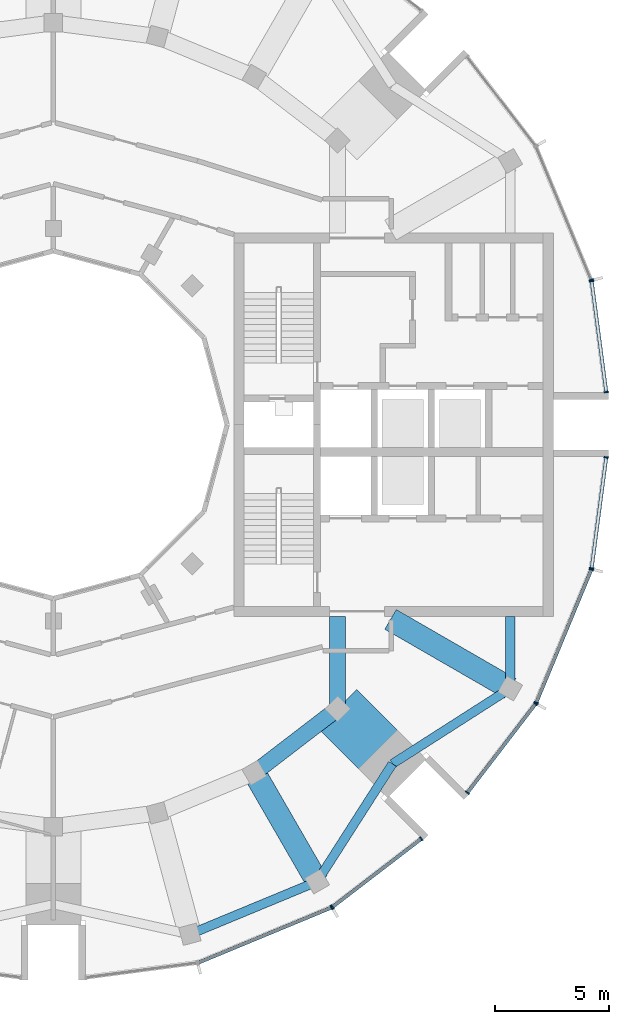
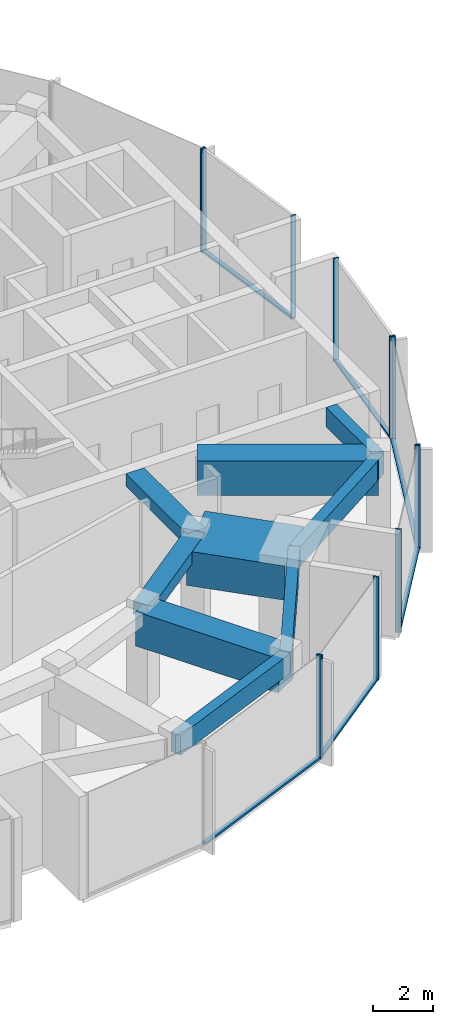
# One storey, part 4 of 14: 18 members, 9 beams, 7 elements without a shape of their own.
"""IFC4 building model written with IfcOpenShell, lengths in metres."""

from ifc_helpers import new_model, si_unit, direction, frame, origin, origin_2d, place, context, subcontext, project, spatial, rectangle, extrude, material, layer, layer_set, material_profile, profile_set, type_object, element, aggregate, save


model = new_model("IFC4")

# Units and contexts
model_context = context("Model", 3, precision=1e-05, world=origin(), true_north=direction((0.0, 1.0)))
body_context = subcontext(model_context, "Body", "Model", "MODEL_VIEW")
ifc_project = project(units=[si_unit("LENGTHUNIT", "METRE"), si_unit("AREAUNIT", "SQUARE_METRE"), si_unit("VOLUMEUNIT", "CUBIC_METRE"), si_unit("PLANEANGLEUNIT", "RADIAN"), si_unit("MASSUNIT", "GRAM", prefix="KILO")], contexts=[model_context])

# Site, building, storey
site_placement = place(None, origin())
site = spatial("IfcSite", under=ifc_project, at=site_placement, CompositionType="ELEMENT")
building_placement = place(site_placement, origin())
building = spatial("IfcBuilding", under=site, at=building_placement, Name="Torre Brocal", CompositionType="ELEMENT")
storey_placement = place(building_placement, frame((0.0, 0.0, 288.300048828125)))
storey = spatial("IfcBuildingStorey", under=building, at=storey_placement, Name="L66", CompositionType="ELEMENT", Elevation=288.300048828125)

# Curtain wall, member
ifc_material_1 = material(Name="Aluminium and glass", Category="aluminium")
ifc_layer_1 = layer(ifc_material_1, 0.199951171875)
ifc_layer_set_1 = layer_set([ifc_layer_1], Name="Aluminium and glass")
curtain_wall_type_1 = type_object("IfcCurtainWallType", Name="CW-1 CURTAIN WALL 4200 HIGH", PredefinedType="NOTDEFINED", material=ifc_layer_set_1)
curtain_wall_1_placement = place(storey_placement, origin())
curtain_wall_1 = element("IfcCurtainWall", 1, at=curtain_wall_1_placement, inside=storey, type_object=curtain_wall_type_1, Name="CW-1 RUN 2", PredefinedType="NOTDEFINED")
ifc_material_2 = material(Name="Aluminium, dark anodised", Category="aluminium")
ifc_material_profile_1 = material_profile(ifc_material_2, rectangle(XDim=0.199951171875, YDim=0.06005859375, at=origin_2d()), Name="CW-1 MULLION 60X200")
ifc_profile_set_1 = profile_set([ifc_material_profile_1], Name="Aluminium, dark anodised")
member_type_1 = type_object("IfcMemberType", Name="CW-1 MULLION 60X200", PredefinedType="MULLION", material=ifc_profile_set_1)
member_1_placement = place(storey_placement, frame((103.556396484375, 81.3427734375, 0.0), z_axis=(0.0, 0.0, 1.0), x_axis=(-0.923879532471, -0.382683432462, 0.0)))
member_1 = element("IfcMember", 2, at=member_1_placement, type_object=member_type_1, Name="CW1-5 mullion 1", PredefinedType="MULLION", context=body_context, shape_type="SweptSolid", body=[
    extrude(rectangle(XDim=0.199951171875, YDim=0.06005859375, at=origin_2d()), origin(), (0.0, 0.0, 1.0), 4.199951171875),
])
aggregate(curtain_wall_1, [member_1])

curtain_wall_2_placement = place(storey_placement, origin())
curtain_wall_2 = element("IfcCurtainWall", 3, at=curtain_wall_2_placement, inside=storey, type_object=curtain_wall_type_1, Name="CW-1 RUN 20", PredefinedType="NOTDEFINED")
member_2_placement = place(storey_placement, frame((92.171875, 53.858154296875, 0.0), z_axis=(0.0, 0.0, 1.0), x_axis=(-0.382683432462, 0.923879532471, 0.0)))
member_2 = element("IfcMember", 4, at=member_2_placement, type_object=member_type_1, Name="CW1-5 mullion 2", PredefinedType="MULLION", context=body_context, shape_type="SweptSolid", body=[
    extrude(rectangle(XDim=0.199951171875, YDim=0.06005859375, at=origin_2d()), origin(), (0.0, 0.0, 1.0), 4.199951171875),
])

# Curtain wall, members
curtain_wall_3_placement = place(storey_placement, origin())
curtain_wall_3 = element("IfcCurtainWall", 5, at=curtain_wall_3_placement, inside=storey, type_object=curtain_wall_type_1, Name="CW-1 RUN 21", PredefinedType="NOTDEFINED")
member_3_placement = place(storey_placement, frame((92.223388671875, 53.887939453125, 0.0), z_axis=(0.0, 0.0, 1.0), x_axis=(-0.608761428939, 0.793353340344, 0.0)))
member_3 = element("IfcMember", 6, at=member_3_placement, type_object=member_type_1, Name="CW1-5 mullion 1", PredefinedType="MULLION", context=body_context, shape_type="SweptSolid", body=[
    extrude(rectangle(XDim=0.199951171875, YDim=0.06005859375, at=origin_2d()), origin(), (0.0, 0.0, 1.0), 4.199951171875),
])
member_4_placement = place(storey_placement, frame((96.108642578125, 56.869384765625, 0.0), z_axis=(0.0, 0.0, 1.0), x_axis=(-0.608761428939, 0.793353340344, 0.0)))
member_4 = element("IfcMember", 7, at=member_4_placement, type_object=member_type_1, Name="CW1-5 mullion 2", PredefinedType="MULLION", context=body_context, shape_type="SweptSolid", body=[
    extrude(rectangle(XDim=0.199951171875, YDim=0.06005859375, at=origin_2d()), origin(), (0.0, 0.0, 1.0), 4.199951171875),
])

curtain_wall_4_placement = place(storey_placement, origin())
curtain_wall_4 = element("IfcCurtainWall", 8, at=curtain_wall_4_placement, inside=storey, type_object=curtain_wall_type_1, Name="CW-1 RUN 22", PredefinedType="NOTDEFINED")
member_5_placement = place(storey_placement, frame((98.130615234375, 58.891357421875, 0.0), z_axis=(0.0, 0.0, 1.0), x_axis=(-0.793353340344, 0.608761428939, 0.0)))
member_5 = element("IfcMember", 9, at=member_5_placement, type_object=member_type_1, Name="CW1-5 mullion 1", PredefinedType="MULLION", context=body_context, shape_type="SweptSolid", body=[
    extrude(rectangle(XDim=0.199951171875, YDim=0.06005859375, at=origin_2d()), origin(), (0.0, 0.0, 1.0), 4.199951171875),
])
member_6_placement = place(storey_placement, frame((101.112060546875, 62.776611328125, 0.0), z_axis=(0.0, 0.0, 1.0), x_axis=(-0.793353340344, 0.608761428939, 0.0)))
member_6 = element("IfcMember", 10, at=member_6_placement, type_object=member_type_1, Name="CW1-5 mullion 2", PredefinedType="MULLION", context=body_context, shape_type="SweptSolid", body=[
    extrude(rectangle(XDim=0.199951171875, YDim=0.06005859375, at=origin_2d()), origin(), (0.0, 0.0, 1.0), 4.199951171875),
])

curtain_wall_5_placement = place(storey_placement, origin())
curtain_wall_5 = element("IfcCurtainWall", 11, at=curtain_wall_5_placement, inside=storey, type_object=curtain_wall_type_1, Name="CW-1 RUN 23", PredefinedType="NOTDEFINED")
member_7_placement = place(storey_placement, frame((101.141845703125, 62.828125, 0.0), z_axis=(0.0, 0.0, 1.0), x_axis=(-0.923879532471, 0.382683432462, 0.0)))
member_7 = element("IfcMember", 12, at=member_7_placement, type_object=member_type_1, Name="CW1-5 mullion 1", PredefinedType="MULLION", context=body_context, shape_type="SweptSolid", body=[
    extrude(rectangle(XDim=0.199951171875, YDim=0.06005859375, at=origin_2d()), origin(), (0.0, 0.0, 1.0), 4.199951171875),
])
member_8_placement = place(storey_placement, frame((103.556396484375, 68.6572265625, 0.0), z_axis=(0.0, 0.0, 1.0), x_axis=(-0.923879532471, 0.382683432462, 0.0)))
member_8 = element("IfcMember", 13, at=member_8_placement, type_object=member_type_1, Name="CW1-5 mullion 2", PredefinedType="MULLION", context=body_context, shape_type="SweptSolid", body=[
    extrude(rectangle(XDim=0.199951171875, YDim=0.06005859375, at=origin_2d()), origin(), (0.0, 0.0, 1.0), 4.199951171875),
])

# Member
ifc_material_3 = material(Name="Aluminium, dark anodised", Category="aluminium")
ifc_material_profile_2 = material_profile(ifc_material_3, rectangle(XDim=0.159912109375, YDim=0.080078125, at=origin_2d()), Name="CW-1 TRANSOM 160X80")
ifc_profile_set_2 = profile_set([ifc_material_profile_2], Name="Aluminium, dark anodised")
member_type_2 = type_object("IfcMemberType", Name="CW-1 TRANSOM 160X80", PredefinedType="USERDEFINED", material=ifc_profile_set_2)
member_9_placement = place(storey_placement, frame((86.370361328125, 51.455322265625, 0.0400390625), z_axis=(0.923889705363, 0.382658872004, 0.0), x_axis=(-0.382658872004, 0.923889705363, 0.0)))
member_9 = element("IfcMember", 14, at=member_9_placement, type_object=member_type_2, Name="CW1-5 transom 1.1", ObjectType="TRANSOM", PredefinedType="USERDEFINED", context=body_context, shape_type="SweptSolid", body=[
    extrude(rectangle(XDim=0.159912109375, YDim=0.080078125, at=origin_2d()), origin(), (0.0, 0.0, 1.0), 6.249267578125),
])

aggregate(curtain_wall_2, [member_2, member_9])

member_10_placement = place(storey_placement, frame((92.2470703125, 53.90625, 0.0400390625), z_axis=(0.793362608569, 0.608749350163, 0.0), x_axis=(-0.608749350163, 0.793362608569, 0.0)))
member_10 = element("IfcMember", 15, at=member_10_placement, type_object=member_type_2, Name="CW1-5 transom 1.1", ObjectType="TRANSOM", PredefinedType="USERDEFINED", context=body_context, shape_type="SweptSolid", body=[
    extrude(rectangle(XDim=0.159912109375, YDim=0.080078125, at=origin_2d()), origin(), (0.0, 0.0, 1.0), 4.83740234375),
])

aggregate(curtain_wall_3, [member_3, member_4, member_10])

member_11_placement = place(storey_placement, frame((98.14892578125, 58.9150390625, 0.0400390625), z_axis=(0.608749350163, 0.793362608569, 0.0), x_axis=(-0.793362608569, 0.608749350163, 0.0)))
member_11 = element("IfcMember", 16, at=member_11_placement, type_object=member_type_2, Name="CW1-5 transom 1.1", ObjectType="TRANSOM", PredefinedType="USERDEFINED", context=body_context, shape_type="SweptSolid", body=[
    extrude(rectangle(XDim=0.159912109375, YDim=0.080078125, at=origin_2d()), origin(), (0.0, 0.0, 1.0), 4.83740234375),
])

aggregate(curtain_wall_4, [member_5, member_6, member_11])

member_12_placement = place(storey_placement, frame((101.1533203125, 62.85595703125, 0.0400390625), z_axis=(0.382658872004, 0.923889705363, 0.0), x_axis=(-0.923889705363, 0.382658872004, 0.0)))
member_12 = element("IfcMember", 17, at=member_12_placement, type_object=member_type_2, Name="CW1-5 transom 1.1", ObjectType="TRANSOM", PredefinedType="USERDEFINED", context=body_context, shape_type="SweptSolid", body=[
    extrude(rectangle(XDim=0.159912109375, YDim=0.080078125, at=origin_2d()), origin(), (0.0, 0.0, 1.0), 6.249267578125),
])

aggregate(curtain_wall_5, [member_7, member_8, member_12])

# Curtain wall, members
ifc_material_4 = material(Name="Aluminium and glass", Category="aluminium")
ifc_layer_2 = layer(ifc_material_4, 0.199951171875)
ifc_layer_set_2 = layer_set([ifc_layer_2], Name="Aluminium and glass")
curtain_wall_type_2 = type_object("IfcCurtainWallType", Name="CW-1B CURTAIN WALL 4200 HIGH", PredefinedType="NOTDEFINED", material=ifc_layer_set_2)
curtain_wall_6_placement = place(storey_placement, origin())
curtain_wall_6 = element("IfcCurtainWall", 18, at=curtain_wall_6_placement, inside=storey, type_object=curtain_wall_type_2, Name="CW-1B RUN 1", PredefinedType="NOTDEFINED")
ifc_material_5 = material(Name="Aluminium, dark anodised", Category="aluminium")
ifc_material_profile_3 = material_profile(ifc_material_5, rectangle(XDim=0.199951171875, YDim=0.06005859375, at=origin_2d()), Name="CW-1B MULLION 60X200")
ifc_profile_set_3 = profile_set([ifc_material_profile_3], Name="Aluminium, dark anodised")
member_type_3 = type_object("IfcMemberType", Name="CW-1B MULLION 60X200", PredefinedType="MULLION", material=ifc_profile_set_3)
member_13_placement = place(storey_placement, frame((104.2109375, 76.4296875, 0.0), z_axis=(0.0, 0.0, 1.0), x_axis=(-0.991444861387, -0.130526192116, 0.0)))
member_13 = element("IfcMember", 19, at=member_13_placement, type_object=member_type_3, Name="CW1B-5 mullion 1", PredefinedType="MULLION", context=body_context, shape_type="SweptSolid", body=[
    extrude(rectangle(XDim=0.199951171875, YDim=0.06005859375, at=origin_2d()), origin(), (0.0, 0.0, 1.0), 4.199951171875),
])
member_14_placement = place(storey_placement, frame((103.57177734375, 81.28515625, 0.0), z_axis=(0.0, 0.0, 1.0), x_axis=(-0.991444861387, -0.130526192116, 0.0)))
member_14 = element("IfcMember", 20, at=member_14_placement, type_object=member_type_3, Name="CW1B-5 mullion 2", PredefinedType="MULLION", context=body_context, shape_type="SweptSolid", body=[
    extrude(rectangle(XDim=0.199951171875, YDim=0.06005859375, at=origin_2d()), origin(), (0.0, 0.0, 1.0), 4.199951171875),
])

curtain_wall_7_placement = place(storey_placement, origin())
curtain_wall_7 = element("IfcCurtainWall", 21, at=curtain_wall_7_placement, inside=storey, type_object=curtain_wall_type_2, Name="CW-1B RUN 24", PredefinedType="NOTDEFINED")
member_15_placement = place(storey_placement, frame((103.57177734375, 68.71484375, 0.0), z_axis=(0.0, 0.0, 1.0), x_axis=(-0.991444861387, 0.130526192116, 0.0)))
member_15 = element("IfcMember", 22, at=member_15_placement, type_object=member_type_3, Name="CW1B-5 mullion 1", PredefinedType="MULLION", context=body_context, shape_type="SweptSolid", body=[
    extrude(rectangle(XDim=0.199951171875, YDim=0.06005859375, at=origin_2d()), origin(), (0.0, 0.0, 1.0), 4.199951171875),
])
member_16_placement = place(storey_placement, frame((104.2109375, 73.5703125, 0.0), z_axis=(0.0, 0.0, 1.0), x_axis=(-0.991444861387, 0.130526192116, 0.0)))
member_16 = element("IfcMember", 23, at=member_16_placement, type_object=member_type_3, Name="CW1B-5 mullion 2", PredefinedType="MULLION", context=body_context, shape_type="SweptSolid", body=[
    extrude(rectangle(XDim=0.199951171875, YDim=0.06005859375, at=origin_2d()), origin(), (0.0, 0.0, 1.0), 4.199951171875),
])

# Member
ifc_material_6 = material(Name="Aluminium, dark anodised", Category="aluminium")
ifc_material_profile_4 = material_profile(ifc_material_6, rectangle(XDim=0.159912109375, YDim=0.080078125, at=origin_2d()), Name="CW-1B TRANSOM 160X80")
ifc_profile_set_4 = profile_set([ifc_material_profile_4], Name="Aluminium, dark anodised")
member_type_4 = type_object("IfcMemberType", Name="CW-1B TRANSOM 160X80", PredefinedType="USERDEFINED", material=ifc_profile_set_4)
member_17_placement = place(storey_placement, frame((104.20703125, 76.45947265625, 0.0400390625), z_axis=(-0.130517179786, 0.991446047842, 0.0), x_axis=(-0.991446047842, -0.130517179786, 0.0)))
member_17 = element("IfcMember", 24, at=member_17_placement, type_object=member_type_4, Name="CW1B-5 transom 1.1", ObjectType="TRANSOM", PredefinedType="USERDEFINED", context=body_context, shape_type="SweptSolid", body=[
    extrude(rectangle(XDim=0.159912109375, YDim=0.080078125, at=origin_2d()), origin(), (0.0, 0.0, 1.0), 4.837158203125),
])

aggregate(curtain_wall_6, [member_13, member_14, member_17])

member_18_placement = place(storey_placement, frame((103.57568359375, 68.74462890625, 0.0400390625), z_axis=(0.130517179786, 0.991446047842, 0.0), x_axis=(-0.991446047842, 0.130517179786, 0.0)))
member_18 = element("IfcMember", 25, at=member_18_placement, type_object=member_type_4, Name="CW1B-5 transom 1.1", ObjectType="TRANSOM", PredefinedType="USERDEFINED", context=body_context, shape_type="SweptSolid", body=[
    extrude(rectangle(XDim=0.159912109375, YDim=0.080078125, at=origin_2d()), origin(), (0.0, 0.0, 1.0), 4.837158203125),
])

aggregate(curtain_wall_7, [member_15, member_16, member_18])

# Beams
ifc_material_7 = material(Name="Concrete C50", Category="concrete")
ifc_material_profile_5 = material_profile(ifc_material_7, rectangle(XDim=0.699951171875, YDim=0.5, at=origin_2d()), Name="RC 700X500")
ifc_profile_set_5 = profile_set([ifc_material_profile_5], Name="Concrete C50")
beam_type_1 = type_object("IfcBeamType", Name="RC BEAM 700X500 C50 TOP 3880", PredefinedType="BEAM", material=ifc_profile_set_5)
beam_1_placement = place(storey_placement, frame((88.800048828125, 59.758056640625, 3.6298828125), z_axis=(0.793358265959, 0.6087550097, 0.0), x_axis=(-0.6087550097, 0.793358265959, 0.0)))
element("IfcBeam", 26, at=beam_1_placement, inside=storey, type_object=beam_type_1, Name="Beam BT-37", PredefinedType="BEAM", context=body_context, shape_type="SweptSolid", body=[
    extrude(rectangle(XDim=0.699951171875, YDim=0.5, at=origin_2d()), origin(), (0.0, 0.0, 1.0), 4.594482421875),
])
beam_2_placement = place(storey_placement, frame((92.445068359375, 62.554931640625, 3.6298828125), z_axis=(0.0, 1.0, 0.0), x_axis=(-1.0, 0.0, 0.0)))
element("IfcBeam", 27, at=beam_2_placement, inside=storey, type_object=beam_type_1, Name="Beam BT-37", PredefinedType="BEAM", context=body_context, shape_type="SweptSolid", body=[
    extrude(rectangle(XDim=0.699951171875, YDim=0.5, at=origin_2d()), origin(), (0.0, 0.0, 1.0), 4.045166015625),
])
ifc_material_8 = material(Name="Concrete C50", Category="concrete")
ifc_material_profile_6 = material_profile(ifc_material_8, rectangle(XDim=0.39990234375, YDim=0.800048828125, at=origin_2d()), Name="RC 400X800")
ifc_profile_set_6 = profile_set([ifc_material_profile_6], Name="Concrete C50")
beam_type_2 = type_object("IfcBeamType", Name="RC SPANDREL BEAM 400X800 C50 TOP 3880", PredefinedType="SPANDREL", material=ifc_profile_set_6)
beam_3_placement = place(storey_placement, frame((85.978759765625, 52.68701171875, 3.47998046875), z_axis=(0.923870278372, 0.38270577307, 0.0), x_axis=(-0.38270577307, 0.923870278372, 0.0)))
element("IfcBeam", 28, at=beam_3_placement, inside=storey, type_object=beam_type_2, Name="Beam BT-47", PredefinedType="SPANDREL", context=body_context, shape_type="SweptSolid", body=[
    extrude(rectangle(XDim=0.39990234375, YDim=0.800048828125, at=origin_2d()), origin(), (0.0, 0.0, 1.0), 6.0302734375),
])
for number, where, z_axis, x_axis, name in (
    (29, (91.550048828125, 54.994873046875, 3.47998046875), (0.538964280647, 0.842328620069, 0.0), (-0.842328620069, 0.538964280647, 0.0), "Beam BT-47"),
    (30, (94.84912109375, 60.15087890625, 3.47998046875), (0.842328620069, 0.538964280647, 0.0), (-0.538964280647, 0.842328620069, 0.0), "Beam BT-47"),
):
    element("IfcBeam", number, at=place(storey_placement, frame(where, z_axis=z_axis, x_axis=x_axis)), inside=storey, type_object=beam_type_2, Name=name, PredefinedType="SPANDREL", context=body_context, shape_type="SweptSolid", body=[
        extrude(rectangle(XDim=0.39990234375, YDim=0.800048828125, at=origin_2d()), origin(), (0.0, 0.0, 1.0), 6.12109375),
    ])
beam_4_placement = place(storey_placement, frame((100.005126953125, 63.449951171875, 3.47998046875), z_axis=(0.0, 1.0, 0.0), x_axis=(-1.0, 0.0, 0.0)))
element("IfcBeam", 31, at=beam_4_placement, inside=storey, type_object=beam_type_2, Name="Beam BT-47", PredefinedType="SPANDREL", context=body_context, shape_type="SweptSolid", body=[
    extrude(rectangle(XDim=0.39990234375, YDim=0.800048828125, at=origin_2d()), origin(), (0.0, 0.0, 1.0), 3.150146484375),
])
ifc_material_9 = material(Name="Concrete C60", Category="concrete")
ifc_material_profile_7 = material_profile(ifc_material_9, rectangle(XDim=1.0, YDim=1.39990234375, at=origin_2d()), Name="RC 1000X1400")
ifc_profile_set_7 = profile_set([ifc_material_profile_7], Name="Concrete C60")
beam_type_3 = type_object("IfcBeamType", Name="RC TRANSFER GIRDER 1000X1400 C60 TOP 3880", PredefinedType="BEAM", material=ifc_profile_set_7)
beam_5_placement = place(storey_placement, frame((88.800048828125, 59.758056640625, 3.179931640625), z_axis=(0.499996545922, -0.866027397988, 0.0), x_axis=(0.866027397988, 0.499996545922, 0.0)))
element("IfcBeam", 32, at=beam_5_placement, inside=storey, type_object=beam_type_3, Name="Beam TG-07", PredefinedType="BEAM", context=body_context, shape_type="SweptSolid", body=[
    extrude(rectangle(XDim=1.0, YDim=1.39990234375, at=origin_2d()), origin(), (0.0, 0.0, 1.0), 5.5),
])
beam_6_placement = place(storey_placement, frame((94.765625, 66.47509765625, 3.179931640625), z_axis=(0.866016913815, -0.50001470477, 0.0), x_axis=(0.50001470477, 0.866016913815, 0.0)))
element("IfcBeam", 33, at=beam_6_placement, inside=storey, type_object=beam_type_3, Name="Beam TG-07", PredefinedType="BEAM", context=body_context, shape_type="SweptSolid", body=[
    extrude(rectangle(XDim=1.0, YDim=1.39990234375, at=origin_2d()), origin(), (0.0, 0.0, 1.0), 6.050048828125),
])
ifc_material_10 = material(Name="Concrete C60", Category="concrete")
ifc_material_profile_8 = material_profile(ifc_material_10, rectangle(XDim=2.39990234375, YDim=1.39990234375, at=origin_2d()), Name="RC 2400X1400")
ifc_profile_set_8 = profile_set([ifc_material_profile_8], Name="Concrete C60")
beam_type_4 = type_object("IfcBeamType", Name="RC TRANSFER GIRDER 2400X1400 C60 TOP 3880", PredefinedType="BEAM", material=ifc_profile_set_8)
beam_7_placement = place(storey_placement, frame((92.445068359375, 62.554931640625, 3.179931640625), z_axis=(0.707106781187, -0.707106781187, 0.0), x_axis=(0.707106781187, 0.707106781187, 0.0)))
element("IfcBeam", 34, at=beam_7_placement, inside=storey, type_object=beam_type_4, Name="Beam TG-08", PredefinedType="BEAM", context=body_context, shape_type="SweptSolid", body=[
    extrude(rectangle(XDim=2.39990234375, YDim=1.39990234375, at=origin_2d()), origin(), (0.0, 0.0, 1.0), 3.39990234375),
])

save(model, "model.ifc")
